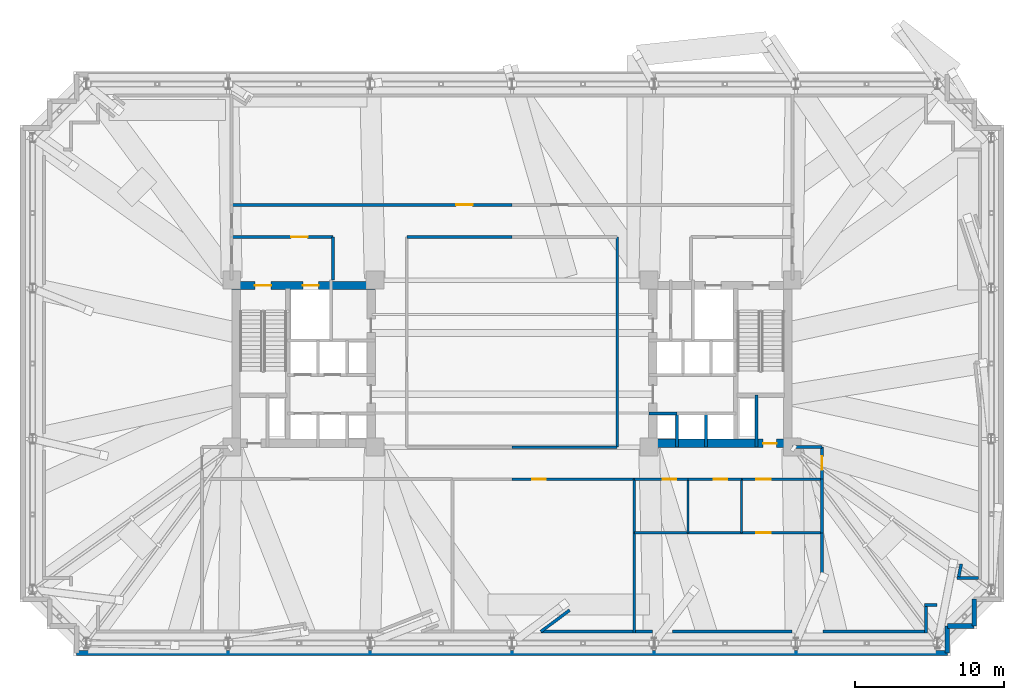
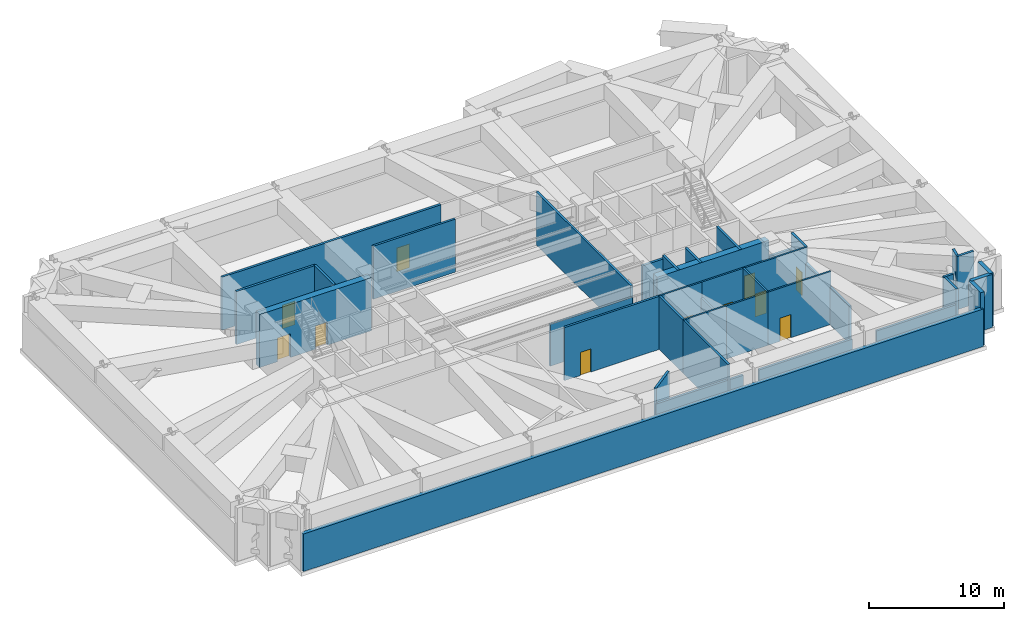
# One storey, part 16 of 20: 40 walls, 11 doors, 11 openings.
"""IFC4 building model written with IfcOpenShell, lengths in metres."""

from ifc_helpers import new_model, si_unit, direction, frame, frame_2d, origin, place, context, subcontext, project, spatial, rectangle, extrude, material, layer, layer_set, type_object, element, fill, save


model = new_model("IFC4")

# Units and contexts
model_context = context("Model", 3, precision=1e-05, world=origin(), true_north=direction((0.0, 1.0)))
body_context = subcontext(model_context, "Body", "Model", "MODEL_VIEW")
ifc_project = project(units=[si_unit("LENGTHUNIT", "METRE"), si_unit("AREAUNIT", "SQUARE_METRE"), si_unit("VOLUMEUNIT", "CUBIC_METRE"), si_unit("PLANEANGLEUNIT", "RADIAN"), si_unit("MASSUNIT", "GRAM", prefix="KILO")], contexts=[model_context])

# Site, building, storey
site_placement = place(None, origin())
site = spatial("IfcSite", under=ifc_project, at=site_placement, CompositionType="ELEMENT")
building_placement = place(site_placement, origin())
building = spatial("IfcBuilding", under=site, at=building_placement, Name="Qobustan Lattice House", CompositionType="ELEMENT")
storey_placement = place(building_placement, frame((0.0, 0.0, 73.89990234375)))
storey = spatial("IfcBuildingStorey", under=building, at=storey_placement, Name="L20", CompositionType="ELEMENT", Elevation=73.89990234375)

# Wall, openings, doors
ifc_material_1 = material(Name="Concrete C60/75", Category="concrete")
ifc_layer_1 = layer(ifc_material_1, 0.56005859375)
ifc_layer_set_1 = layer_set([ifc_layer_1], Name="Concrete C60/75")
wall_type_1 = type_object("IfcWallType", Name="WAL-CORE-600", PredefinedType="SHEAR", material=ifc_layer_set_1)
wall_1_placement = place(storey_placement, frame((-18.800048828125, 5.239990234375, 0.0), z_axis=(0.0, 0.0, 1.0), x_axis=(1.0, 0.0, 0.0)))
wall_1 = element("IfcWall", 1, at=wall_1_placement, inside=storey, type_object=wall_type_1, Name="L20 split-core shear wall CW-N", PredefinedType="SHEAR", context=body_context, shape_type="SweptSolid", body=[
    extrude(rectangle(XDim=9.60009765625, YDim=0.56005859375, at=frame_2d((4.800048828125, 0.0))), origin(), (0.0, 0.0, 1.0), 4.820068359375),
])
opening_1_placement = place(wall_1_placement, frame((1.550048828125, 0.0, 0.0)))
opening_1 = element("IfcOpeningElement", 2, at=opening_1_placement, cuts=wall_1, Name="Opening SD-01", PredefinedType="OPENING", context=body_context, shape_type="SweptSolid", body=[
    extrude(rectangle(XDim=1.10009765625, YDim=2.14990234375, at=frame_2d((0.550048828125, 1.074951171875))), frame((0.0, 0.2900390625, 0.0), z_axis=(0.0, -1.0, 0.0), x_axis=(1.0, 0.0, 0.0)), (0.0, 0.0, 1.0), 0.580078125),
])
opening_2_placement = place(wall_1_placement, frame((4.77490234375, 0.0, 0.0)))
opening_2 = element("IfcOpeningElement", 3, at=opening_2_placement, cuts=wall_1, Name="Opening LD-01", PredefinedType="OPENING", context=body_context, shape_type="SweptSolid", body=[
    extrude(rectangle(XDim=1.050048828125, YDim=2.10009765625, at=frame_2d((0.52490234375, 1.050048828125))), frame((0.0, 0.2900390625, 0.0), z_axis=(0.0, -1.0, 0.0), x_axis=(1.0, 0.0, 0.0)), (0.0, 0.0, 1.0), 0.580078125),
])
ifc_material_2 = material(Name="Persian walnut timber and steel frame door", Category="steel")
door_type_1 = type_object("IfcDoorType", Name="DOR-LIFT-LD-1050x2100", OperationType="NOTDEFINED", PredefinedType="DOOR", material=ifc_material_2)
door_1_placement = place(opening_2_placement, origin())
door_1 = element("IfcDoor", 4, at=door_1_placement, inside=storey, type_object=door_type_1, Name="L20 firefighting lift FF-W landing door", OperationType="DOUBLE_DOOR_SLIDING", OverallHeight=2.10009765625, OverallWidth=1.050048828125, PredefinedType="DOOR", context=body_context, shape_type="SweptSolid", body=[
    extrude(rectangle(XDim=1.050048828125, YDim=2.10009765625, at=frame_2d((0.52490234375, 1.050048828125))), frame((0.0, 0.02490234375, 0.0), z_axis=(0.0, -1.0, 0.0), x_axis=(1.0, 0.0, 0.0)), (0.0, 0.0, 1.0), 0.050048828125),
])
fill(opening_2, door_1)
ifc_material_3 = material(Name="Persian walnut timber and steel frame door", Category="steel")
door_type_2 = type_object("IfcDoorType", Name="DOR-STAIR-FD-1100x2150", OperationType="NOTDEFINED", PredefinedType="DOOR", material=ifc_material_3)
door_2_placement = place(opening_1_placement, origin())
door_2 = element("IfcDoor", 5, at=door_2_placement, inside=storey, type_object=door_type_2, Name="L20 exit stair ST-W1 fire door", OperationType="SINGLE_SWING_LEFT", OverallHeight=2.14990234375, OverallWidth=1.10009765625, PredefinedType="DOOR", context=body_context, shape_type="SweptSolid", body=[
    extrude(rectangle(XDim=1.10009765625, YDim=2.14990234375, at=frame_2d((0.550048828125, 1.074951171875))), frame((0.0, 0.02490234375, 0.0), z_axis=(0.0, -1.0, 0.0), x_axis=(1.0, 0.0, 0.0)), (0.0, 0.0, 1.0), 0.050048828125),
])
fill(opening_1, door_2)

# Wall, opening, door
wall_2_placement = place(storey_placement, frame((9.199951171875, -5.35009765625, 0.0), z_axis=(0.0, 0.0, 1.0), x_axis=(1.0, 0.0, 0.0)))
wall_2 = element("IfcWall", 6, at=wall_2_placement, inside=storey, type_object=wall_type_1, Name="L20 split-core shear wall CE-S", PredefinedType="SHEAR", context=body_context, shape_type="SweptSolid", body=[
    extrude(rectangle(XDim=9.60009765625, YDim=0.56005859375, at=frame_2d((4.800048828125, 0.0))), origin(), (0.0, 0.0, 1.0), 4.820068359375),
])
opening_3_placement = place(wall_2_placement, frame((7.64990234375, 0.0, 0.0)))
opening_3 = element("IfcOpeningElement", 7, at=opening_3_placement, cuts=wall_2, Name="Opening RD-01", PredefinedType="OPENING", context=body_context, shape_type="SweptSolid", body=[
    extrude(rectangle(XDim=0.89990234375, YDim=2.10009765625, at=frame_2d((0.449951171875, 1.050048828125))), frame((0.0, 0.2900390625, 0.0), z_axis=(0.0, -1.0, 0.0), x_axis=(1.0, 0.0, 0.0)), (0.0, 0.0, 1.0), 0.580078125),
])
ifc_material_4 = material(Name="Persian walnut timber and steel frame door", Category="steel")
door_type_3 = type_object("IfcDoorType", Name="DOR-RISER-FD-900x2100", OperationType="NOTDEFINED", PredefinedType="DOOR", material=ifc_material_4)
door_3_placement = place(opening_3_placement, origin())
door_3 = element("IfcDoor", 8, at=door_3_placement, inside=storey, type_object=door_type_3, Name="L20 core service riser access door E", OperationType="SINGLE_SWING_RIGHT", OverallHeight=2.10009765625, OverallWidth=0.89990234375, PredefinedType="DOOR", context=body_context, shape_type="SweptSolid", body=[
    extrude(rectangle(XDim=0.89990234375, YDim=2.10009765625, at=frame_2d((0.449951171875, 1.050048828125))), frame((0.0, 0.02490234375, 0.0), z_axis=(0.0, -1.0, 0.0), x_axis=(1.0, 0.0, 0.0)), (0.0, 0.0, 1.0), 0.050048828125),
])
fill(opening_3, door_3)

# Walls
ifc_material_5 = material(Name="Precast concrete C40/50", Category="concrete")
ifc_layer_2 = layer(ifc_material_5, 0.320068359375)
ifc_layer_set_2 = layer_set([ifc_layer_2], Name="Precast concrete C40/50")
wall_type_2 = type_object("IfcWallType", Name="WAL-EXT-STONE-320", PredefinedType="SOLIDWALL", material=ifc_layer_set_2)
for number, where, z_axis, x_axis, name in (
    (9, (31.0, -15.800048828125, 0.0), (0.0, 0.0, 1.0), (0.0, -1.0, 0.0), "L20 exterior limestone-clad wall 17"),
    (10, (31.0, -17.60009765625, 0.0), (0.0, 0.0, 1.0), (-1.0, 0.0, 0.0), "L20 exterior limestone-clad wall 18"),
):
    element("IfcWall", number, at=place(storey_placement, frame(where, z_axis=z_axis, x_axis=x_axis)), inside=storey, type_object=wall_type_2, Name=name, PredefinedType="SOLIDWALL", context=body_context, shape_type="SweptSolid", body=[
        extrude(rectangle(XDim=1.800048828125, YDim=0.320068359375, at=frame_2d((0.89990234375, 0.0))), origin(), (0.0, 0.0, 1.0), 4.820068359375),
    ])
wall_3_placement = place(storey_placement, frame((29.199951171875, -17.60009765625, 0.0), z_axis=(0.0, 0.0, 1.0), x_axis=(0.0, -1.0, 0.0)))
element("IfcWall", 11, at=wall_3_placement, inside=storey, type_object=wall_type_2, Name="L20 exterior limestone-clad wall 19", PredefinedType="SOLIDWALL", context=body_context, shape_type="SweptSolid", body=[
    extrude(rectangle(XDim=1.7998046875, YDim=0.320068359375, at=frame_2d((0.89990234375, 0.0))), origin(), (0.0, 0.0, 1.0), 4.820068359375),
])
wall_4_placement = place(storey_placement, frame((29.199951171875, -19.39990234375, 0.0), z_axis=(0.0, 0.0, 1.0), x_axis=(-1.0, 0.0, 0.0)))
element("IfcWall", 12, at=wall_4_placement, inside=storey, type_object=wall_type_2, Name="L20 exterior limestone-clad wall 20", PredefinedType="SOLIDWALL", context=body_context, shape_type="SweptSolid", body=[
    extrude(rectangle(XDim=58.39990234375, YDim=0.320068359375, at=frame_2d((29.199951171875, 0.0))), origin(), (0.0, 0.0, 1.0), 3.405029296875),
])
ifc_material_6 = material(Name="Gypsum fireboard acoustic partition", Category="gypsum")
ifc_layer_3 = layer(ifc_material_6, 0.179931640625)
ifc_layer_set_3 = layer_set([ifc_layer_3], Name="Gypsum fireboard acoustic partition")
wall_type_3 = type_object("IfcWallType", Name="WAL-FIRE-180", PredefinedType="PARTITIONING", material=ifc_layer_set_3)
wall_5_placement = place(storey_placement, frame((0.0, 8.5, 0.0), z_axis=(0.0, 0.0, 1.0), x_axis=(-1.0, 0.0, 0.0)))
element("IfcWall", 13, at=wall_5_placement, inside=storey, type_object=wall_type_3, Name="L20 interior partition 38", PredefinedType="PARTITIONING", context=body_context, shape_type="SweptSolid", body=[
    extrude(rectangle(XDim=7.050048828125, YDim=0.179931640625, at=frame_2d((3.52490234375, 0.0))), origin(), (0.0, 0.0, 1.0), 4.820068359375),
])

# Wall, opening, door
wall_6_placement = place(storey_placement, frame((8.199951171875, -7.75, 0.0), z_axis=(0.0, 0.0, 1.0), x_axis=(-1.0, 0.0, 0.0)))
wall_6 = element("IfcWall", 14, at=wall_6_placement, inside=storey, type_object=wall_type_3, Name="L20 interior partition 49", PredefinedType="PARTITIONING", context=body_context, shape_type="SweptSolid", body=[
    extrude(rectangle(XDim=8.199951171875, YDim=0.179931640625, at=frame_2d((4.10009765625, 0.0))), origin(), (0.0, 0.0, 1.0), 4.820068359375),
])
opening_4_placement = place(wall_6_placement, frame((5.952392578125, 0.0, 0.0)))
opening_4 = element("IfcOpeningElement", 15, at=opening_4_placement, cuts=wall_6, Name="Opening RD-01", PredefinedType="OPENING", context=body_context, shape_type="SweptSolid", body=[
    extrude(rectangle(XDim=0.89990234375, YDim=2.10009765625, at=frame_2d((0.449951171875, 1.050048828125))), frame((0.0, 0.099853515625, 0.0), z_axis=(0.0, -1.0, 0.0), x_axis=(1.0, 0.0, 0.0)), (0.0, 0.0, 1.0), 0.199951171875),
])
door_4_placement = place(opening_4_placement, origin())
door_4 = element("IfcDoor", 16, at=door_4_placement, inside=storey, type_object=door_type_3, Name="L20 South-east mechanical plant corridor to Zone AHU chiller and HV switchgear plant door", OperationType="SINGLE_SWING_LEFT", OverallHeight=2.10009765625, OverallWidth=0.89990234375, PredefinedType="DOOR", context=body_context, shape_type="SweptSolid", body=[
    extrude(rectangle(XDim=0.89990234375, YDim=2.10009765625, at=frame_2d((0.449951171875, 1.050048828125))), frame((0.0, 0.02490234375, 0.0), z_axis=(0.0, -1.0, 0.0), x_axis=(1.0, 0.0, 0.0)), (0.0, 0.0, 1.0), 0.050048828125),
])
fill(opening_4, door_4)

# Walls
wall_7_placement = place(storey_placement, frame((0.0, -5.60009765625, 0.0), z_axis=(0.0, 0.0, 1.0), x_axis=(1.0, 0.0, 0.0)))
element("IfcWall", 17, at=wall_7_placement, inside=storey, type_object=wall_type_3, Name="L20 interior partition 53", PredefinedType="PARTITIONING", context=body_context, shape_type="SweptSolid", body=[
    extrude(rectangle(XDim=7.050048828125, YDim=0.179931640625, at=frame_2d((3.52490234375, 0.0))), origin(), (0.0, 0.0, 1.0), 3.797119140625),
])
wall_8_placement = place(storey_placement, frame((7.050048828125, -5.60009765625, 0.0), z_axis=(0.0, 0.0, 1.0), x_axis=(0.0, 1.0, 0.0)))
element("IfcWall", 18, at=wall_8_placement, inside=storey, type_object=wall_type_3, Name="L20 interior partition 55", PredefinedType="PARTITIONING", context=body_context, shape_type="SweptSolid", body=[
    extrude(rectangle(XDim=14.10009765625, YDim=0.179931640625, at=frame_2d((7.050048828125, 0.0))), origin(), (0.0, 0.0, 1.0), 4.820068359375),
])
wall_9_placement = place(storey_placement, frame((8.199951171875, -7.75, 0.0), z_axis=(0.0, 0.0, 1.0), x_axis=(0.0, -1.0, 0.0)))
element("IfcWall", 19, at=wall_9_placement, inside=storey, type_object=wall_type_3, Name="L20 interior partition 62", PredefinedType="PARTITIONING", context=body_context, shape_type="SweptSolid", body=[
    extrude(rectangle(XDim=3.60009765625, YDim=0.179931640625, at=frame_2d((1.800048828125, 0.0))), origin(), (0.0, 0.0, 1.0), 4.820068359375),
])
wall_10_placement = place(storey_placement, frame((8.199951171875, -11.35009765625, 0.0), z_axis=(0.0, 0.0, 1.0), x_axis=(0.0, -1.0, 0.0)))
element("IfcWall", 20, at=wall_10_placement, inside=storey, type_object=wall_type_3, Name="L20 interior partition 63", PredefinedType="PARTITIONING", context=body_context, shape_type="SweptSolid", body=[
    extrude(rectangle(XDim=6.699951171875, YDim=0.179931640625, at=frame_2d((3.35009765625, 0.0))), origin(), (0.0, 0.0, 1.0), 4.820068359375),
])

# Wall, opening, door
ifc_material_7 = material(Name="Acoustic twin-stud gypsum partition", Category="gypsum")
ifc_layer_4 = layer(ifc_material_7, 0.14990234375)
ifc_layer_set_4 = layer_set([ifc_layer_4], Name="Acoustic twin-stud gypsum partition")
wall_type_4 = type_object("IfcWallType", Name="WAL-PART-150", PredefinedType="PARTITIONING", material=ifc_layer_set_4)
wall_11_placement = place(storey_placement, frame((20.800048828125, -7.75, 0.0), z_axis=(0.0, 0.0, 1.0), x_axis=(-1.0, 0.0, 0.0)))
wall_11 = element("IfcWall", 21, at=wall_11_placement, inside=storey, type_object=wall_type_4, Name="L20 interior partition 52", PredefinedType="PARTITIONING", context=body_context, shape_type="SweptSolid", body=[
    extrude(rectangle(XDim=5.400146484375, YDim=0.14990234375, at=frame_2d((2.7001953125, 0.0))), origin(), (0.0, 0.0, 1.0), 4.820068359375),
])
opening_5_placement = place(wall_11_placement, frame((3.458740234375, 0.0, 0.0)))
opening_5 = element("IfcOpeningElement", 22, at=opening_5_placement, cuts=wall_11, Name="Opening ID-01", PredefinedType="OPENING", context=body_context, shape_type="SweptSolid", body=[
    extrude(rectangle(XDim=0.949951171875, YDim=2.10009765625, at=frame_2d((0.47509765625, 1.050048828125))), frame((0.0, 0.0849609375, 0.0), z_axis=(0.0, -1.0, 0.0), x_axis=(1.0, 0.0, 0.0)), (0.0, 0.0, 1.0), 0.169921875),
])
ifc_material_8 = material(Name="Persian walnut timber and steel frame door", Category="steel")
door_type_4 = type_object("IfcDoorType", Name="DOR-ROOM-950x2100", OperationType="NOTDEFINED", PredefinedType="DOOR", material=ifc_material_8)
door_5_placement = place(opening_5_placement, origin())
door_5 = element("IfcDoor", 23, at=door_5_placement, inside=storey, type_object=door_type_4, Name="L20 South-east mechanical plant corridor to Janitor supply store door", OperationType="SINGLE_SWING_RIGHT", OverallHeight=2.10009765625, OverallWidth=0.949951171875, PredefinedType="DOOR", context=body_context, shape_type="SweptSolid", body=[
    extrude(rectangle(XDim=0.949951171875, YDim=2.10009765625, at=frame_2d((0.47509765625, 1.050048828125))), frame((0.0, 0.02490234375, 0.0), z_axis=(0.0, -1.0, 0.0), x_axis=(1.0, 0.0, 0.0)), (0.0, 0.0, 1.0), 0.050048828125),
])
fill(opening_5, door_5)

wall_12_placement = place(storey_placement, frame((20.800048828125, -11.35009765625, 0.0), z_axis=(0.0, 0.0, 1.0), x_axis=(-1.0, 0.0, 0.0)))
wall_12 = element("IfcWall", 24, at=wall_12_placement, inside=storey, type_object=wall_type_4, Name="L20 interior partition 68", PredefinedType="PARTITIONING", context=body_context, shape_type="SweptSolid", body=[
    extrude(rectangle(XDim=5.400146484375, YDim=0.14990234375, at=frame_2d((2.7001953125, 0.0))), origin(), (0.0, 0.0, 1.0), 4.820068359375),
])
opening_6_placement = place(wall_12_placement, frame((3.458740234375, 0.0, 0.0)))
opening_6 = element("IfcOpeningElement", 25, at=opening_6_placement, cuts=wall_12, Name="Opening ID-01", PredefinedType="OPENING", context=body_context, shape_type="SweptSolid", body=[
    extrude(rectangle(XDim=0.949951171875, YDim=2.10009765625, at=frame_2d((0.47509765625, 1.050048828125))), frame((0.0, 0.0849609375, 0.0), z_axis=(0.0, -1.0, 0.0), x_axis=(1.0, 0.0, 0.0)), (0.0, 0.0, 1.0), 0.169921875),
])
door_6_placement = place(opening_6_placement, origin())
door_6 = element("IfcDoor", 26, at=door_6_placement, inside=storey, type_object=door_type_4, Name="L20 Janitor supply store to Equipment and archive store door", OperationType="SINGLE_SWING_RIGHT", OverallHeight=2.10009765625, OverallWidth=0.949951171875, PredefinedType="DOOR", context=body_context, shape_type="SweptSolid", body=[
    extrude(rectangle(XDim=0.949951171875, YDim=2.10009765625, at=frame_2d((0.47509765625, 1.050048828125))), frame((0.0, 0.02490234375, 0.0), z_axis=(0.0, -1.0, 0.0), x_axis=(1.0, 0.0, 0.0)), (0.0, 0.0, 1.0), 0.050048828125),
])
fill(opening_6, door_6)

# Walls
ifc_material_9 = material(Name="Two-hour gypsum fireboard acoustic partition", Category="gypsum")
ifc_layer_5 = layer(ifc_material_9, 0.199951171875)
ifc_layer_set_5 = layer_set([ifc_layer_5], Name="Two-hour gypsum fireboard acoustic partition")
wall_type_5 = type_object("IfcWallType", Name="WAL-PROT-200", PredefinedType="PARTITIONING", material=ifc_layer_set_5)
wall_13_placement = place(storey_placement, frame((8.125, -17.97509765625, 0.0), z_axis=(0.0, 0.0, 1.0), x_axis=(-1.0, 0.0, 0.0)))
element("IfcWall", 27, at=wall_13_placement, inside=storey, type_object=wall_type_5, Name="L20 perimeter belt-truss plenum enclosure wall 22", PredefinedType="PARTITIONING", context=body_context, shape_type="SweptSolid", body=[
    extrude(rectangle(XDim=6.18994140625, YDim=0.199951171875, at=frame_2d((3.094970703125, 0.0))), origin(), (0.0, 0.0, 1.0), 3.405029296875),
])
wall_14_placement = place(storey_placement, frame((1.93505859375, -17.97509765625, 0.0), z_axis=(0.0, 0.0, 1.0), x_axis=(0.801747629463, 0.59766272985, 0.0)))
element("IfcWall", 28, at=wall_14_placement, inside=storey, type_object=wall_type_5, Name="L20 perimeter belt-truss plenum enclosure wall 23", PredefinedType="PARTITIONING", context=body_context, shape_type="SweptSolid", body=[
    extrude(rectangle(XDim=2.4091796875, YDim=0.199951171875, at=frame_2d((1.20458984375, 0.0))), origin(), (0.0, 0.0, 1.0), 4.820068359375),
])
wall_15_placement = place(storey_placement, frame((9.43408203125, -17.97509765625, 0.0), z_axis=(0.0, 0.0, 1.0), x_axis=(-1.0, 0.0, 0.0)))
element("IfcWall", 29, at=wall_15_placement, inside=storey, type_object=wall_type_5, Name="L20 perimeter belt-truss plenum enclosure wall 28", PredefinedType="PARTITIONING", context=body_context, shape_type="SweptSolid", body=[
    extrude(rectangle(XDim=1.1591796875, YDim=0.199951171875, at=frame_2d((0.57958984375, 0.0))), origin(), (0.0, 0.0, 1.0), 3.405029296875),
])
wall_16_placement = place(storey_placement, frame((18.7783203125, -17.97509765625, 0.0), z_axis=(0.0, 0.0, 1.0), x_axis=(-1.0, 0.0, 0.0)))
element("IfcWall", 30, at=wall_16_placement, inside=storey, type_object=wall_type_5, Name="L20 perimeter belt-truss plenum enclosure wall 29", PredefinedType="PARTITIONING", context=body_context, shape_type="SweptSolid", body=[
    extrude(rectangle(XDim=8.0, YDim=0.199951171875, at=frame_2d((4.0, 0.0))), origin(), (0.0, 0.0, 1.0), 3.405029296875),
])
wall_17_placement = place(storey_placement, frame((31.287109375, -14.375, 0.0), z_axis=(0.0, 0.0, 1.0), x_axis=(-1.0, 0.0, 0.0)))
element("IfcWall", 31, at=wall_17_placement, inside=storey, type_object=wall_type_5, Name="L20 perimeter belt-truss plenum enclosure wall 36", PredefinedType="PARTITIONING", context=body_context, shape_type="SweptSolid", body=[
    extrude(rectangle(XDim=1.43798828125, YDim=0.199951171875, at=frame_2d((0.718994140625, 0.0))), origin(), (0.0, 0.0, 1.0), 4.820068359375),
])
wall_18_placement = place(storey_placement, frame((29.966064453125, -14.28857421875, 0.0), z_axis=(0.0, 0.0, 1.0), x_axis=(0.19141129803, 0.981509915888, 0.0)))
element("IfcWall", 32, at=wall_18_placement, inside=storey, type_object=wall_type_5, Name="L20 perimeter belt-truss plenum enclosure wall 37", PredefinedType="PARTITIONING", context=body_context, shape_type="SweptSolid", body=[
    extrude(rectangle(XDim=0.86865234375, YDim=0.199951171875, at=frame_2d((0.434326171875, 0.0))), origin(), (0.0, 0.0, 1.0), 4.820068359375),
])
wall_19_placement = place(storey_placement, frame((28.507568359375, -16.175048828125, 0.0), z_axis=(0.0, 0.0, 1.0), x_axis=(-1.0, 0.0, 0.0)))
element("IfcWall", 33, at=wall_19_placement, inside=storey, type_object=wall_type_5, Name="L20 perimeter belt-truss plenum enclosure wall 38", PredefinedType="PARTITIONING", context=body_context, shape_type="SweptSolid", body=[
    extrude(rectangle(XDim=0.83251953125, YDim=0.199951171875, at=frame_2d((0.416259765625, 0.0))), origin(), (0.0, 0.0, 1.0), 4.820068359375),
])
wall_20_placement = place(storey_placement, frame((27.77490234375, -16.262939453125, 0.0), z_axis=(0.0, 0.0, 1.0), x_axis=(0.0, -1.0, 0.0)))
element("IfcWall", 34, at=wall_20_placement, inside=storey, type_object=wall_type_5, Name="L20 perimeter belt-truss plenum enclosure wall 39", PredefinedType="PARTITIONING", context=body_context, shape_type="SweptSolid", body=[
    extrude(rectangle(XDim=1.81201171875, YDim=0.199951171875, at=frame_2d((0.906005859375, 0.0))), origin(), (0.0, 0.0, 1.0), 4.820068359375),
])
wall_21_placement = place(storey_placement, frame((27.68701171875, -17.97509765625, 0.0), z_axis=(0.0, 0.0, 1.0), x_axis=(-1.0, 0.0, 0.0)))
element("IfcWall", 35, at=wall_21_placement, inside=storey, type_object=wall_type_5, Name="L20 perimeter belt-truss plenum enclosure wall 40", PredefinedType="PARTITIONING", context=body_context, shape_type="SweptSolid", body=[
    extrude(rectangle(XDim=6.81201171875, YDim=0.199951171875, at=frame_2d((3.406005859375, 0.0))), origin(), (0.0, 0.0, 1.0), 3.405029296875),
])

# Wall, opening, door
wall_22_placement = place(storey_placement, frame((-12.0, 8.5, 0.0), z_axis=(0.0, 0.0, 1.0), x_axis=(-1.0, 0.0, 0.0)))
wall_22 = element("IfcWall", 36, at=wall_22_placement, inside=storey, type_object=wall_type_5, Name="L20 interior partition 3", PredefinedType="PARTITIONING", context=body_context, shape_type="SweptSolid", body=[
    extrude(rectangle(XDim=6.800048828125, YDim=0.199951171875, at=frame_2d((3.39990234375, 0.0))), origin(), (0.0, 0.0, 1.0), 4.820068359375),
])
opening_7_placement = place(wall_22_placement, frame((1.715087890625, 0.0, 0.0)))
opening_7 = element("IfcOpeningElement", 37, at=opening_7_placement, cuts=wall_22, Name="Opening SD-01", PredefinedType="OPENING", context=body_context, shape_type="SweptSolid", body=[
    extrude(rectangle(XDim=1.10009765625, YDim=2.14990234375, at=frame_2d((0.550048828125, 1.074951171875))), frame((0.0, 0.10986328125, 0.0), z_axis=(0.0, -1.0, 0.0), x_axis=(1.0, 0.0, 0.0)), (0.0, 0.0, 1.0), 0.219970703125),
])
door_7_placement = place(opening_7_placement, origin())
door_7 = element("IfcDoor", 38, at=door_7_placement, inside=storey, type_object=door_type_2, Name="L20 West firefighting lift lobby to North-west mechanical plant corridor door", OperationType="SINGLE_SWING_LEFT", OverallHeight=2.14990234375, OverallWidth=1.10009765625, PredefinedType="DOOR", context=body_context, shape_type="SweptSolid", body=[
    extrude(rectangle(XDim=1.10009765625, YDim=2.14990234375, at=frame_2d((0.550048828125, 1.074951171875))), frame((0.0, 0.02490234375, 0.0), z_axis=(0.0, -1.0, 0.0), x_axis=(1.0, 0.0, 0.0)), (0.0, 0.0, 1.0), 0.050048828125),
])
fill(opening_7, door_7)

# Wall
wall_23_placement = place(storey_placement, frame((-12.0, 5.60009765625, 0.0), z_axis=(0.0, 0.0, 1.0), x_axis=(0.0, 1.0, 0.0)))
element("IfcWall", 39, at=wall_23_placement, inside=storey, type_object=wall_type_5, Name="L20 interior partition 4", PredefinedType="PARTITIONING", context=body_context, shape_type="SweptSolid", body=[
    extrude(rectangle(XDim=2.89990234375, YDim=0.199951171875, at=frame_2d((1.449951171875, 0.0))), origin(), (0.0, 0.0, 1.0), 4.820068359375),
])

# Wall, opening, door
wall_24_placement = place(storey_placement, frame((-18.800048828125, 10.64990234375, 0.0), z_axis=(0.0, 0.0, 1.0), x_axis=(1.0, 0.0, 0.0)))
wall_24 = element("IfcWall", 40, at=wall_24_placement, inside=storey, type_object=wall_type_5, Name="L20 interior partition 37", PredefinedType="PARTITIONING", context=body_context, shape_type="SweptSolid", body=[
    extrude(rectangle(XDim=18.800048828125, YDim=0.199951171875, at=frame_2d((9.39990234375, 0.0))), origin(), (0.0, 0.0, 1.0), 4.820068359375),
])
opening_8_placement = place(wall_24_placement, frame((15.052490234375, 0.0, 0.0)))
opening_8 = element("IfcOpeningElement", 41, at=opening_8_placement, cuts=wall_24, Name="Opening SD-01", PredefinedType="OPENING", context=body_context, shape_type="SweptSolid", body=[
    extrude(rectangle(XDim=1.10009765625, YDim=2.14990234375, at=frame_2d((0.550048828125, 1.074951171875))), frame((0.0, 0.10986328125, 0.0), z_axis=(0.0, -1.0, 0.0), x_axis=(1.0, 0.0, 0.0)), (0.0, 0.0, 1.0), 0.219970703125),
])
door_8_placement = place(opening_8_placement, origin())
door_8 = element("IfcDoor", 42, at=door_8_placement, inside=storey, type_object=door_type_2, Name="L20 North-west mechanical plant corridor to North protected refuge area door", OperationType="SINGLE_SWING_LEFT", OverallHeight=2.14990234375, OverallWidth=1.10009765625, PredefinedType="DOOR", context=body_context, shape_type="SweptSolid", body=[
    extrude(rectangle(XDim=1.10009765625, YDim=2.14990234375, at=frame_2d((0.550048828125, 1.074951171875))), frame((0.0, 0.02490234375, 0.0), z_axis=(0.0, -1.0, 0.0), x_axis=(1.0, 0.0, 0.0)), (0.0, 0.0, 1.0), 0.050048828125),
])
fill(opening_8, door_8)

wall_25_placement = place(storey_placement, frame((20.800048828125, -5.60009765625, 0.0), z_axis=(0.0, 0.0, 1.0), x_axis=(0.0, -1.0, 0.0)))
wall_25 = element("IfcWall", 43, at=wall_25_placement, inside=storey, type_object=wall_type_5, Name="L20 interior partition 47", PredefinedType="PARTITIONING", context=body_context, shape_type="SweptSolid", body=[
    extrude(rectangle(XDim=2.14990234375, YDim=0.199951171875, at=frame_2d((1.074951171875, 0.0))), origin(), (0.0, 0.0, 1.0), 4.820068359375),
])
opening_9_placement = place(wall_25_placement, frame((0.625, 0.0, 0.0)))
opening_9 = element("IfcOpeningElement", 44, at=opening_9_placement, cuts=wall_25, Name="Opening RD-01", PredefinedType="OPENING", context=body_context, shape_type="SweptSolid", body=[
    extrude(rectangle(XDim=0.89990234375, YDim=2.10009765625, at=frame_2d((0.449951171875, 1.050048828125))), frame((0.0, 0.10986328125, 0.0), z_axis=(0.0, -1.0, 0.0), x_axis=(1.0, 0.0, 0.0)), (0.0, 0.0, 1.0), 0.219970703125),
])
door_9_placement = place(opening_9_placement, origin())
door_9 = element("IfcDoor", 45, at=door_9_placement, inside=storey, type_object=door_type_3, Name="L20 South-east mechanical plant corridor to East protected refuge area door", OperationType="SINGLE_SWING_RIGHT", OverallHeight=2.10009765625, OverallWidth=0.89990234375, PredefinedType="DOOR", context=body_context, shape_type="SweptSolid", body=[
    extrude(rectangle(XDim=0.89990234375, YDim=2.10009765625, at=frame_2d((0.449951171875, 1.050048828125))), frame((0.0, 0.02490234375, 0.0), z_axis=(0.0, -1.0, 0.0), x_axis=(1.0, 0.0, 0.0)), (0.0, 0.0, 1.0), 0.050048828125),
])
fill(opening_9, door_9)

# Walls
wall_26_placement = place(storey_placement, frame((18.800048828125, -5.60009765625, 0.0), z_axis=(0.0, 0.0, 1.0), x_axis=(1.0, 0.0, 0.0)))
element("IfcWall", 46, at=wall_26_placement, inside=storey, type_object=wall_type_5, Name="L20 interior partition 48", PredefinedType="PARTITIONING", context=body_context, shape_type="SweptSolid", body=[
    extrude(rectangle(XDim=2.0, YDim=0.199951171875, at=frame_2d((1.0, 0.0))), origin(), (0.0, 0.0, 1.0), 3.405029296875),
])
wall_27_placement = place(storey_placement, frame((20.800048828125, -11.35009765625, 0.0), z_axis=(0.0, 0.0, 1.0), x_axis=(0.0, 1.0, 0.0)))
element("IfcWall", 47, at=wall_27_placement, inside=storey, type_object=wall_type_5, Name="L20 interior partition 59", PredefinedType="PARTITIONING", context=body_context, shape_type="SweptSolid", body=[
    extrude(rectangle(XDim=3.60009765625, YDim=0.199951171875, at=frame_2d((1.800048828125, 0.0))), origin(), (0.0, 0.0, 1.0), 3.405029296875),
])
wall_28_placement = place(storey_placement, frame((20.800048828125, -14.28369140625, 0.0), z_axis=(0.0, 0.0, 1.0), x_axis=(0.0, 1.0, 0.0)))
element("IfcWall", 48, at=wall_28_placement, inside=storey, type_object=wall_type_5, Name="L20 interior partition 60", PredefinedType="PARTITIONING", context=body_context, shape_type="SweptSolid", body=[
    extrude(rectangle(XDim=2.93359375, YDim=0.199951171875, at=frame_2d((1.466796875, 0.0))), origin(), (0.0, 0.0, 1.0), 3.405029296875),
])
ifc_material_10 = material(Name="Concrete C40/50", Category="concrete")
ifc_layer_6 = layer(ifc_material_10, 0.199951171875)
ifc_layer_set_6 = layer_set([ifc_layer_6], Name="Concrete C40/50")
wall_type_6 = type_object("IfcWallType", Name="WAL-SHAFT-200", PredefinedType="PARTITIONING", material=ifc_layer_set_6)
wall_29_placement = place(storey_placement, frame((16.39990234375, -2.110107421875, 0.0), z_axis=(0.0, 0.0, 1.0), x_axis=(0.0, -1.0, 0.0)))
element("IfcWall", 49, at=wall_29_placement, inside=storey, type_object=wall_type_6, Name="L20 interior partition 18", PredefinedType="PARTITIONING", context=body_context, shape_type="SweptSolid", body=[
    extrude(rectangle(XDim=3.489990234375, YDim=0.199951171875, at=frame_2d((1.7451171875, 0.0))), origin(), (0.0, 0.0, 1.0), 4.820068359375),
])
wall_30_placement = place(storey_placement, frame((9.199951171875, -3.35009765625, 0.0), z_axis=(0.0, 0.0, 1.0), x_axis=(1.0, 0.0, 0.0)))
element("IfcWall", 50, at=wall_30_placement, inside=storey, type_object=wall_type_6, Name="L20 interior partition 25", PredefinedType="PARTITIONING", context=body_context, shape_type="SweptSolid", body=[
    extrude(rectangle(XDim=1.880126953125, YDim=0.199951171875, at=frame_2d((0.93994140625, 0.0))), origin(), (0.0, 0.0, 1.0), 4.53515625),
])
for number, where, z_axis, x_axis, name in (
    (51, (11.080078125, -5.60009765625, 0.0), (0.0, 0.0, 1.0), (0.0, 1.0, 0.0), "L20 interior partition 32"),
    (52, (13.02001953125, -5.60009765625, 0.0), (0.0, 0.0, 1.0), (0.0, 1.0, 0.0), "L20 interior partition 33"),
):
    element("IfcWall", number, at=place(storey_placement, frame(where, z_axis=z_axis, x_axis=x_axis)), inside=storey, type_object=wall_type_6, Name=name, PredefinedType="PARTITIONING", context=body_context, shape_type="SweptSolid", body=[
        extrude(rectangle(XDim=2.25, YDim=0.199951171875, at=frame_2d((1.125, 0.0))), origin(), (0.0, 0.0, 1.0), 4.820068359375),
    ])

# Wall, opening, door
ifc_material_11 = material(Name="Moisture-resistant acoustic plumbing wall", Category="gypsum")
ifc_layer_7 = layer(ifc_material_11, 0.14990234375)
ifc_layer_set_7 = layer_set([ifc_layer_7], Name="Moisture-resistant acoustic plumbing wall")
wall_type_7 = type_object("IfcWallType", Name="WAL-WET-150", PredefinedType="PLUMBINGWALL", material=ifc_layer_set_7)
wall_31_placement = place(storey_placement, frame((11.800048828125, -7.75, 0.0), z_axis=(0.0, 0.0, 1.0), x_axis=(-1.0, 0.0, 0.0)))
wall_31 = element("IfcWall", 53, at=wall_31_placement, inside=storey, type_object=wall_type_7, Name="L20 interior partition 50", PredefinedType="PLUMBINGWALL", context=body_context, shape_type="SweptSolid", body=[
    extrude(rectangle(XDim=3.60009765625, YDim=0.14990234375, at=frame_2d((1.800048828125, 0.0))), origin(), (0.0, 0.0, 1.0), 4.820068359375),
])
opening_10_placement = place(wall_31_placement, frame((0.7724609375, 0.0, 0.0)))
opening_10 = element("IfcOpeningElement", 54, at=opening_10_placement, cuts=wall_31, Name="Opening WD-01", PredefinedType="OPENING", context=body_context, shape_type="SweptSolid", body=[
    extrude(rectangle(XDim=0.89990234375, YDim=2.10009765625, at=frame_2d((0.449951171875, 1.050048828125))), frame((0.0, 0.0849609375, 0.0), z_axis=(0.0, -1.0, 0.0), x_axis=(1.0, 0.0, 0.0)), (0.0, 0.0, 1.0), 0.169921875),
])
ifc_material_12 = material(Name="Persian walnut timber and steel frame door", Category="steel")
door_type_5 = type_object("IfcDoorType", Name="DOR-WET-900x2100", OperationType="NOTDEFINED", PredefinedType="DOOR", material=ifc_material_12)
door_10_placement = place(opening_10_placement, origin())
door_10 = element("IfcDoor", 55, at=door_10_placement, inside=storey, type_object=door_type_5, Name="L20 South-east mechanical plant corridor to Public WC door", OperationType="SINGLE_SWING_RIGHT", OverallHeight=2.10009765625, OverallWidth=0.89990234375, PredefinedType="DOOR", context=body_context, shape_type="SweptSolid", body=[
    extrude(rectangle(XDim=0.89990234375, YDim=2.10009765625, at=frame_2d((0.449951171875, 1.050048828125))), frame((0.0, 0.02490234375, 0.0), z_axis=(0.0, -1.0, 0.0), x_axis=(1.0, 0.0, 0.0)), (0.0, 0.0, 1.0), 0.050048828125),
])
fill(opening_10, door_10)

wall_32_placement = place(storey_placement, frame((15.39990234375, -7.75, 0.0), z_axis=(0.0, 0.0, 1.0), x_axis=(-1.0, 0.0, 0.0)))
wall_32 = element("IfcWall", 56, at=wall_32_placement, inside=storey, type_object=wall_type_7, Name="L20 interior partition 51", PredefinedType="PLUMBINGWALL", context=body_context, shape_type="SweptSolid", body=[
    extrude(rectangle(XDim=3.599853515625, YDim=0.14990234375, at=frame_2d((1.7998046875, 0.0))), origin(), (0.0, 0.0, 1.0), 4.820068359375),
])
opening_11_placement = place(wall_32_placement, frame((0.965087890625, 0.0, 0.0)))
opening_11 = element("IfcOpeningElement", 57, at=opening_11_placement, cuts=wall_32, Name="Opening WD-01", PredefinedType="OPENING", context=body_context, shape_type="SweptSolid", body=[
    extrude(rectangle(XDim=0.89990234375, YDim=2.10009765625, at=frame_2d((0.449951171875, 1.050048828125))), frame((0.0, 0.0849609375, 0.0), z_axis=(0.0, -1.0, 0.0), x_axis=(1.0, 0.0, 0.0)), (0.0, 0.0, 1.0), 0.169921875),
])
door_11_placement = place(opening_11_placement, origin())
door_11 = element("IfcDoor", 58, at=door_11_placement, inside=storey, type_object=door_type_5, Name="L20 South-east mechanical plant corridor to Accessible WC door", OperationType="SINGLE_SWING_LEFT", OverallHeight=2.10009765625, OverallWidth=0.89990234375, PredefinedType="DOOR", context=body_context, shape_type="SweptSolid", body=[
    extrude(rectangle(XDim=0.89990234375, YDim=2.10009765625, at=frame_2d((0.449951171875, 1.050048828125))), frame((0.0, 0.02490234375, 0.0), z_axis=(0.0, -1.0, 0.0), x_axis=(1.0, 0.0, 0.0)), (0.0, 0.0, 1.0), 0.050048828125),
])
fill(opening_11, door_11)

# Walls
wall_33_placement = place(storey_placement, frame((11.800048828125, -7.75, 0.0), z_axis=(0.0, 0.0, 1.0), x_axis=(0.0, -1.0, 0.0)))
element("IfcWall", 59, at=wall_33_placement, inside=storey, type_object=wall_type_7, Name="L20 interior partition 64", PredefinedType="PLUMBINGWALL", context=body_context, shape_type="SweptSolid", body=[
    extrude(rectangle(XDim=3.60009765625, YDim=0.14990234375, at=frame_2d((1.800048828125, 0.0))), origin(), (0.0, 0.0, 1.0), 3.405029296875),
])
for number, where, z_axis, x_axis, name in (
    (60, (11.800048828125, -11.35009765625, 0.0), (0.0, 0.0, 1.0), (-1.0, 0.0, 0.0), "L20 interior partition 65"),
    (61, (15.39990234375, -7.75, 0.0), (0.0, 0.0, 1.0), (0.0, -1.0, 0.0), "L20 interior partition 66"),
):
    element("IfcWall", number, at=place(storey_placement, frame(where, z_axis=z_axis, x_axis=x_axis)), inside=storey, type_object=wall_type_7, Name=name, PredefinedType="PLUMBINGWALL", context=body_context, shape_type="SweptSolid", body=[
        extrude(rectangle(XDim=3.60009765625, YDim=0.14990234375, at=frame_2d((1.800048828125, 0.0))), origin(), (0.0, 0.0, 1.0), 4.820068359375),
    ])
wall_34_placement = place(storey_placement, frame((15.39990234375, -11.35009765625, 0.0), z_axis=(0.0, 0.0, 1.0), x_axis=(-1.0, 0.0, 0.0)))
element("IfcWall", 62, at=wall_34_placement, inside=storey, type_object=wall_type_7, Name="L20 interior partition 67", PredefinedType="PLUMBINGWALL", context=body_context, shape_type="SweptSolid", body=[
    extrude(rectangle(XDim=3.599853515625, YDim=0.14990234375, at=frame_2d((1.7998046875, 0.0))), origin(), (0.0, 0.0, 1.0), 4.820068359375),
])

save(model, "model.ifc")
